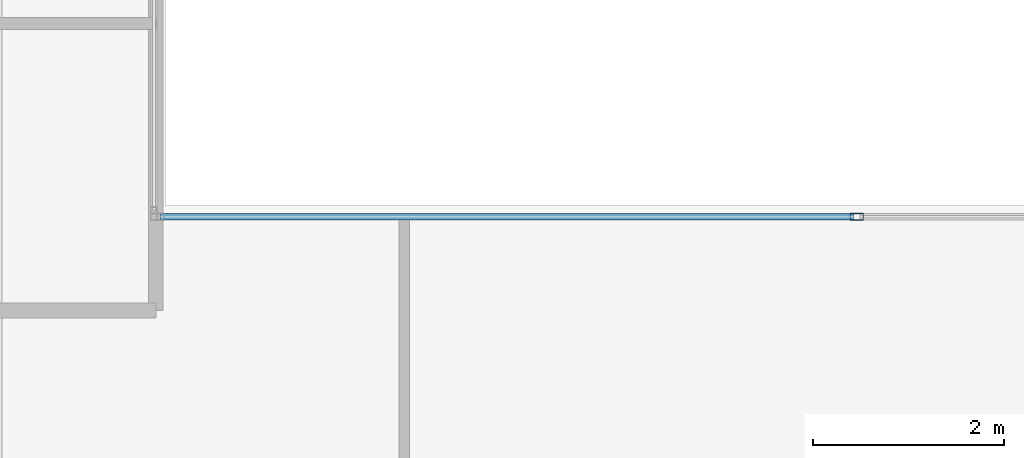
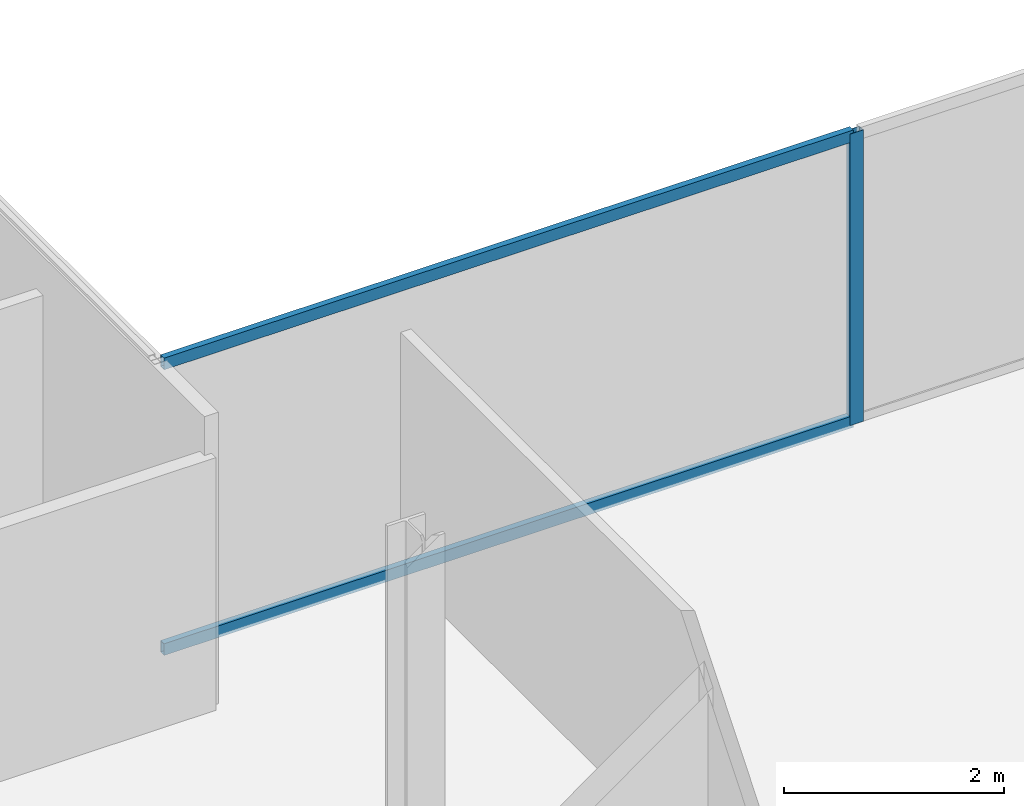
# One storey, part 9 of 23: 3 members, 1 element without a shape of its own.
"""IFC4 building model written with IfcOpenShell, lengths in metres."""

import ifcopenshell
import ifcopenshell.guid

model = None  # the IFC model being written
_history = None  # IfcOwnerHistory: only IFC2X3 demands one
_inside = {}  # id of a spatial element -> (the spatial element, [elements in it])
_under = {}  # id of a project, library or spatial element -> (it, [spatial elements below it])
_declared = {}  # id of a project -> (the project, [libraries it declares])
_typed = {}  # id of a type object -> (the type object, [elements of that type])
_made_of = {}  # id of a material, layer set ... -> (it, [elements and type objects made of it])


def new_model(schema):
    """Start an empty IFC model of exactly this schema.

    Asked for "IFC4X3", IfcOpenShell would pick the latest addendum, in which some entities
    have other attributes; the version numbers below select the first issue.
    IFC2X3 requires an IfcOwnerHistory on every rooted entity: one is made here for all.
    """
    global model, _history
    if schema == "IFC4X3":
        model = ifcopenshell.file(schema_version=(4, 3, 0, 0))
    else:
        model = ifcopenshell.file(schema=schema)
    _inside.clear()
    _under.clear()
    _declared.clear()
    _typed.clear()
    _made_of.clear()
    _history = None
    if model.schema == "IFC2X3":
        org = make("IfcOrganization", Name="unknown")
        user = make(
            "IfcPersonAndOrganization",
            ThePerson=make("IfcPerson", FamilyName="unknown"),
            TheOrganization=org,
        )
        app = make(
            "IfcApplication",
            ApplicationDeveloper=org,
            Version="unknown",
            ApplicationFullName="unknown",
            ApplicationIdentifier="unknown",
        )
        _history = make(
            "IfcOwnerHistory",
            OwningUser=user,
            OwningApplication=app,
            ChangeAction="ADDED",
            CreationDate=0,
        )
    return model


def make(cls, **values):
    """One entity of the class cls with the attributes given. An attribute that is None is left unset."""
    return model.create_entity(
        cls, **{name: value for name, value in values.items() if value is not None}
    )


def rooted(cls, **values):
    """An entity with a GlobalId (a new one), such as an element, a storey or a relation."""
    return make(cls, GlobalId=ifcopenshell.guid.new(), OwnerHistory=_history, **values)


def si_unit(unit_type, name, prefix=None):
    """IfcSIUnit, for example si_unit("LENGTHUNIT", "METRE", prefix="MILLI")."""
    return make("IfcSIUnit", UnitType=unit_type, Prefix=prefix, Name=name)


def assignment(units):
    """IfcUnitAssignment: the units of a project."""
    return None if units is None else make("IfcUnitAssignment", Units=units)


def point(xyz):
    """IfcCartesianPoint."""
    return None if xyz is None else make("IfcCartesianPoint", Coordinates=xyz)


def direction(xyz):
    """IfcDirection."""
    return None if xyz is None else make("IfcDirection", DirectionRatios=xyz)


def frame(location, z_axis=None, x_axis=None):
    """IfcAxis2Placement3D, a coordinate frame: its origin and axes. An axis left out is left unset."""
    return make(
        "IfcAxis2Placement3D",
        Location=point(location),
        Axis=direction(z_axis),
        RefDirection=direction(x_axis),
    )


def frame_2d(location, x_axis=None):
    """IfcAxis2Placement2D, a coordinate frame in the plane: its origin and x axis."""
    return make(
        "IfcAxis2Placement2D", Location=point(location), RefDirection=direction(x_axis)
    )


def origin():
    """The frame at (0, 0, 0) with its axes left unset."""
    return frame((0.0, 0.0, 0.0))


def origin_2d():
    """The frame at (0, 0) in the plane with its x axis left unset."""
    return frame_2d((0.0, 0.0))


def place(relative_to, where):
    """IfcLocalPlacement: puts the frame where relative to a parent placement (None: the world)."""
    return make(
        "IfcLocalPlacement", PlacementRelTo=relative_to, RelativePlacement=where
    )


def context(
    kind, dimensions, precision=None, world=None, true_north=None, identifier=None
):
    """IfcGeometricRepresentationContext, for example the 3D "Model" context."""
    return make(
        "IfcGeometricRepresentationContext",
        ContextIdentifier=identifier,
        ContextType=kind,
        CoordinateSpaceDimension=dimensions,
        Precision=precision,
        WorldCoordinateSystem=world,
        TrueNorth=true_north,
    )


def subcontext(parent, identifier, kind, view, scale=None):
    """IfcGeometricRepresentationSubContext, for example "Body" below "Model"."""
    return make(
        "IfcGeometricRepresentationSubContext",
        ContextIdentifier=identifier,
        ContextType=kind,
        ParentContext=parent,
        TargetScale=scale,
        TargetView=view,
    )


def project(units=None, contexts=None):
    """IfcProject with its units and contexts."""
    return rooted(
        "IfcProject",
        Name="project",
        RepresentationContexts=contexts,
        UnitsInContext=assignment(units),
    )


def spatial(cls, under=None, at=None, **own):
    """A site, building, storey or space (cls), placed at a placement, below another one or the project."""
    s = rooted(cls, ObjectPlacement=at, **own)
    if under is not None:
        _under.setdefault(under.id(), (under, []))[1].append(s)
    return s


def profile(cls, at=None, kind="AREA", **sizes):
    """A parametric profile (cls). Its sizes go by their IFC names, for example OverallWidth=200.0."""
    return make(cls, ProfileType=kind, Position=at, **sizes)


def hollow_rectangle(**sizes):
    """IfcRectangleHollowProfileDef."""
    return profile("IfcRectangleHollowProfileDef", **sizes)


def extrude(swept, where, along, depth):
    """IfcExtrudedAreaSolid: the profile swept, set in the frame where, extruded along a direction by depth."""
    return make(
        "IfcExtrudedAreaSolid",
        SweptArea=swept,
        Position=where,
        ExtrudedDirection=direction(along),
        Depth=depth,
    )


def shape(context_of_items, identifier, shape_type, items):
    """IfcShapeRepresentation: the items that make up one representation, for example the "Body"."""
    return make(
        "IfcShapeRepresentation",
        ContextOfItems=context_of_items,
        RepresentationIdentifier=identifier,
        RepresentationType=shape_type,
        Items=items,
    )


def material(Name=None, Category=None):
    """IfcMaterial."""
    return make("IfcMaterial", Name=Name, Category=Category)


def material_profile(
    of_material, cross_section, Name=None, Category=None, Priority=None
):
    """IfcMaterialProfile: a cross section and its material."""
    return make(
        "IfcMaterialProfile",
        Name=Name,
        Material=of_material,
        Profile=cross_section,
        Priority=Priority,
        Category=Category,
    )


def profile_set(profiles, Name=None, composite=None):
    """IfcMaterialProfileSet."""
    return make(
        "IfcMaterialProfileSet",
        Name=Name,
        MaterialProfiles=profiles,
        CompositeProfile=composite,
    )


def made_of(thing, what):
    """Note that an element or type object is made of a material, layer set ...; save() writes the relation."""
    if what is not None:
        _made_of.setdefault(what.id(), (what, []))[1].append(thing)
    return thing


def type_object(cls, material=None, **own):
    """A type object (cls), such as IfcWallType, which elements share."""
    return made_of(rooted(cls, **own), material)


def element(
    cls,
    number,
    at=None,
    inside=None,
    cuts=None,
    type_object=None,
    material=None,
    context=None,
    identifier="Body",
    shape_type=None,
    held_by="IfcProductDefinitionShape",
    body=None,
    shapes=None,
    **own,
):
    """One element of the class cls, such as IfcWall. Its Tag is "e" and its number.

    at: its placement. inside: the storey or other place that contains it. cuts: it is an
    opening in that element (IfcRelVoidsElement). A single representation is given by context,
    identifier, shape_type and body (its items); several are given by shapes. held_by: the class
    of the entity that holds the representations. save() writes the other relations.
    """
    e = rooted(cls, Tag="e%d" % number, ObjectPlacement=at, **own)
    if body is not None:
        shapes = [shape(context, identifier, shape_type, body)]
    if shapes is not None:
        e.Representation = make(held_by, Representations=shapes)
    if inside is not None:
        _inside.setdefault(inside.id(), (inside, []))[1].append(e)
    if cuts is not None:
        rooted(
            "IfcRelVoidsElement", RelatingBuildingElement=cuts, RelatedOpeningElement=e
        )
    if type_object is not None:
        _typed.setdefault(type_object.id(), (type_object, []))[1].append(e)
    return made_of(e, material)


def aggregate(whole, parts):
    """IfcRelAggregates: a whole, such as a stair, and the parts it consists of."""
    return rooted("IfcRelAggregates", RelatingObject=whole, RelatedObjects=parts)


def save(model, path):
    """Write the relations noted so far, then the file.

    IfcRelAggregates (storeys below a building ...), IfcRelContainedInSpatialStructure (elements
    in a storey), IfcRelDefinesByType, IfcRelAssociatesMaterial and IfcRelDeclares: one each for
    every whole, place, type object, material and project.
    """
    for whole, parts in _under.values():
        aggregate(whole, parts)
    for where, things in _inside.values():
        rooted(
            "IfcRelContainedInSpatialStructure",
            RelatedElements=things,
            RelatingStructure=where,
        )
    for kind, things in _typed.values():
        rooted("IfcRelDefinesByType", RelatedObjects=things, RelatingType=kind)
    for what, things in _made_of.values():
        rooted("IfcRelAssociatesMaterial", RelatedObjects=things, RelatingMaterial=what)
    for by, libraries in _declared.values():
        rooted("IfcRelDeclares", RelatingContext=by, RelatedDefinitions=libraries)
    model.write(path)


model = new_model("IFC4")

# Units and contexts
model_context = context("Model", 3, precision=1e-05, world=origin(), true_north=direction((0.0, 1.0)))
body_context = subcontext(model_context, "Body", "Model", "MODEL_VIEW")
ifc_project = project(units=[si_unit("LENGTHUNIT", "METRE"), si_unit("AREAUNIT", "SQUARE_METRE"), si_unit("VOLUMEUNIT", "CUBIC_METRE"), si_unit("PLANEANGLEUNIT", "RADIAN"), si_unit("MASSUNIT", "GRAM", prefix="KILO")], contexts=[model_context])

# Site, building, storey
site_placement = place(None, origin())
site = spatial("IfcSite", under=ifc_project, at=site_placement, CompositionType="ELEMENT")
building_placement = place(site_placement, origin())
building = spatial("IfcBuilding", under=site, at=building_placement, Name="Cobrela Telecom Tower", CompositionType="ELEMENT")
storey_placement = place(building_placement, frame((0.0, 0.0, 258.64990234375)))
storey = spatial("IfcBuildingStorey", under=building, at=storey_placement, Name="L67", CompositionType="ELEMENT", Elevation=258.64990234375)

# Curtain wall, members
ifc_material = material(Name="Anodized Bronze Aluminium 6063-T6", Category="aluminium")
curtain_wall_type = type_object("IfcCurtainWallType", Name="CW-SYS-OFF-HI", PredefinedType="USERDEFINED", material=ifc_material)
curtain_wall_placement = place(storey_placement, origin())
curtain_wall = element("IfcCurtainWall", 1, at=curtain_wall_placement, inside=storey, type_object=curtain_wall_type, Name="L67 Unitised Bronze Curtain Wall 09", ObjectType="UNITISED CURTAIN WALL", PredefinedType="USERDEFINED")
ifc_material_profile_1 = material_profile(ifc_material, hollow_rectangle(XDim=0.070068359375, YDim=0.139892578125, WallThickness=0.00390625, at=origin_2d()), Name="ALU 70x140x4")
ifc_profile_set_1 = profile_set([ifc_material_profile_1], Name="Anodized Bronze Aluminium 6063-T6")
member_type_1 = type_object("IfcMemberType", Name="CW-SYS-OFF-HI-MUL", PredefinedType="MULLION", material=ifc_profile_set_1)
member_1_placement = place(storey_placement, frame((28.22998046875, 25.080078125, 0.0), z_axis=(0.0, 0.0, 1.0), x_axis=(0.0, 1.0, 0.0)))
member_1 = element("IfcMember", 2, at=member_1_placement, type_object=member_type_1, Name="CW-OFF-HI mullion 2", PredefinedType="MULLION", context=body_context, shape_type="SweptSolid", body=[
    extrude(hollow_rectangle(XDim=0.070068359375, YDim=0.139892578125, WallThickness=0.00390625, at=origin_2d()), origin(), (0.0, 0.0, 1.0), 3.239990234375),
])
ifc_material_profile_2 = material_profile(ifc_material, hollow_rectangle(XDim=0.06494140625, YDim=0.1298828125, WallThickness=0.00390625, at=origin_2d()), Name="ALU 65x130x4")
ifc_profile_set_2 = profile_set([ifc_material_profile_2], Name="Anodized Bronze Aluminium 6063-T6")
member_type_2 = type_object("IfcMemberType", Name="CW-SYS-OFF-HI-TRN", PredefinedType="USERDEFINED", material=ifc_profile_set_2)
member_2_placement = place(storey_placement, frame((20.949951171875, 25.080078125, 0.03271484375), z_axis=(1.0, 0.0, 0.0), x_axis=(0.0, 1.0, 0.0)))
member_2 = element("IfcMember", 3, at=member_2_placement, type_object=member_type_2, Name="CW-OFF-HI transom 1.1", ObjectType="TRANSOM", PredefinedType="USERDEFINED", context=body_context, shape_type="SweptSolid", body=[
    extrude(hollow_rectangle(XDim=0.06494140625, YDim=0.1298828125, WallThickness=0.00390625, at=origin_2d()), origin(), (0.0, 0.0, 1.0), 7.2451171875),
])
member_3_placement = place(storey_placement, frame((20.949951171875, 25.080078125, 3.20751953125), z_axis=(1.0, 0.0, 0.0), x_axis=(0.0, 1.0, 0.0)))
member_3 = element("IfcMember", 4, at=member_3_placement, type_object=member_type_2, Name="CW-OFF-HI transom 1.2", ObjectType="TRANSOM", PredefinedType="USERDEFINED", context=body_context, shape_type="SweptSolid", body=[
    extrude(hollow_rectangle(XDim=0.06494140625, YDim=0.1298828125, WallThickness=0.00390625, at=origin_2d()), origin(), (0.0, 0.0, 1.0), 7.2451171875),
])
aggregate(curtain_wall, [member_1, member_2, member_3])

save(model, "model.ifc")
